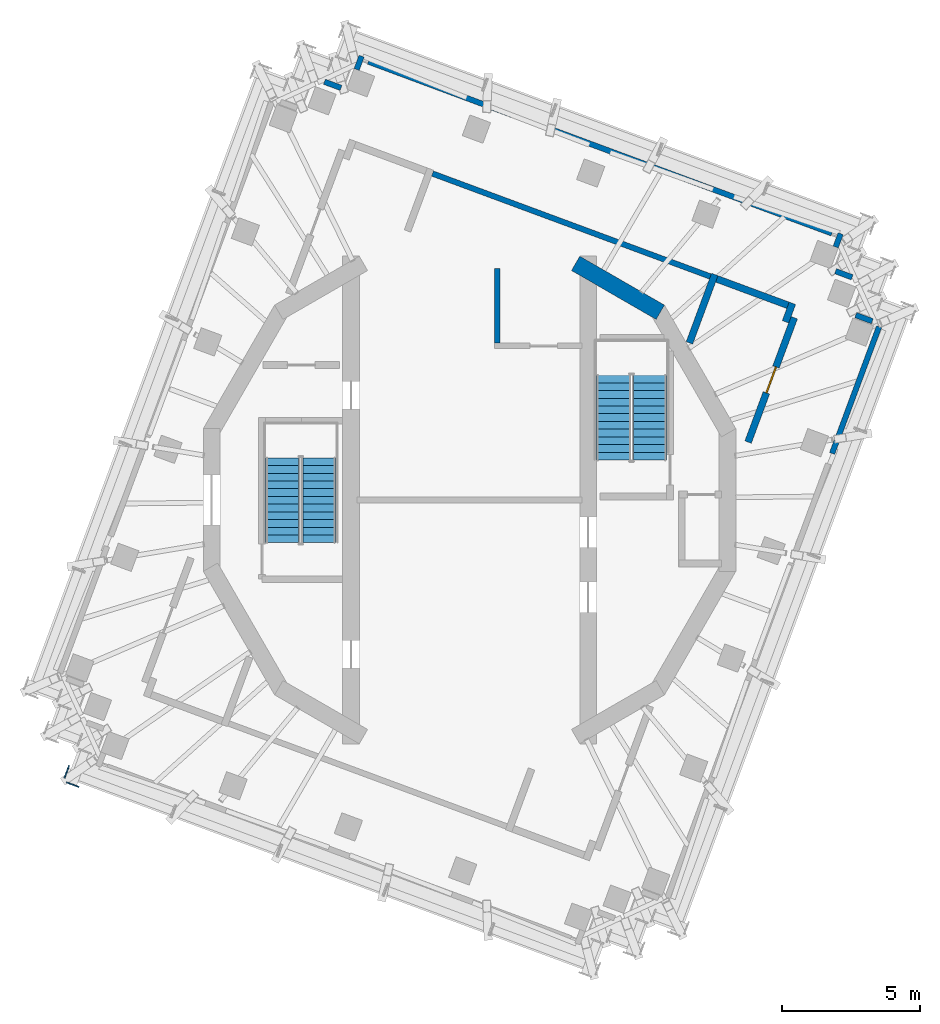
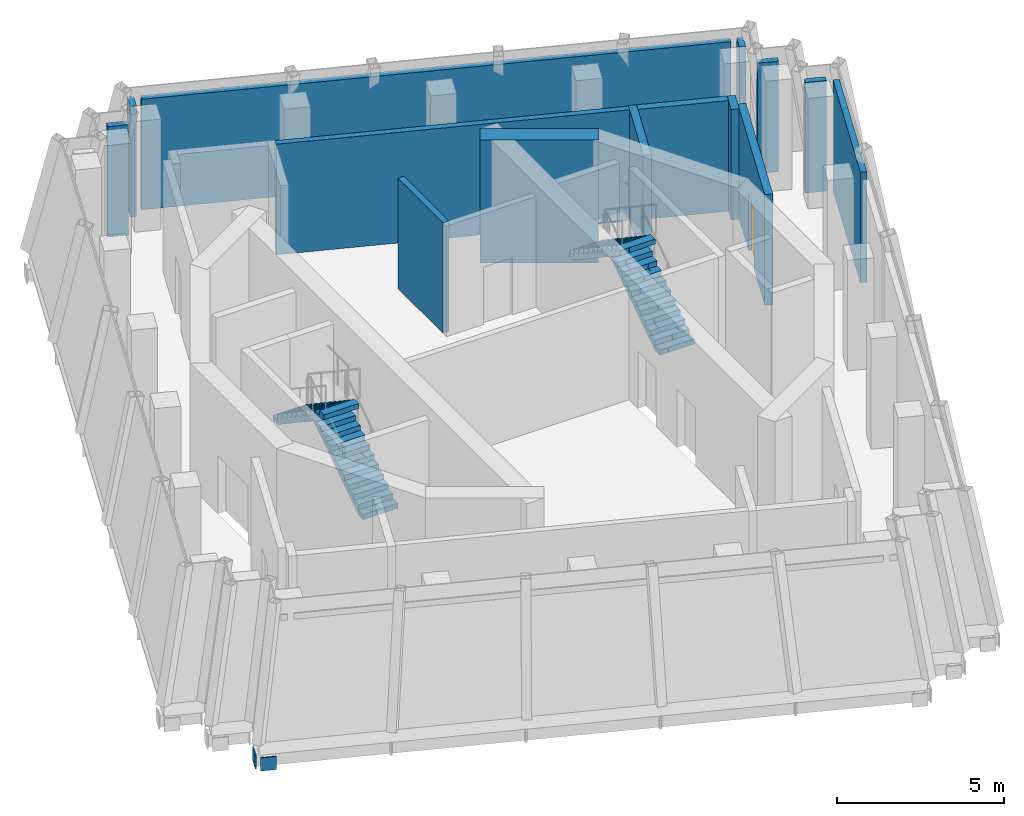
# One storey, part 6 of 12: 14 walls, 4 stair flights, 2 discrete accessories, 1 door, 1 opening, 4 elements without a shape of their own.
"""IFC4 building model written with IfcOpenShell, lengths in metres."""

from ifc_helpers import new_model, si_unit, direction, frame, frame_2d, origin, place, context, subcontext, project, spatial, polyline, rectangle, outline, extrude, material, layer, layer_set, type_object, element, fill, aggregate, save


model = new_model("IFC4")

# Units and contexts
model_context = context("Model", 3, precision=1e-05, world=origin(), true_north=direction((0.0, 1.0)))
body_context = subcontext(model_context, "Body", "Model", "MODEL_VIEW")
ifc_project = project(units=[si_unit("LENGTHUNIT", "METRE"), si_unit("AREAUNIT", "SQUARE_METRE"), si_unit("VOLUMEUNIT", "CUBIC_METRE"), si_unit("PLANEANGLEUNIT", "RADIAN"), si_unit("MASSUNIT", "GRAM", prefix="KILO")], contexts=[model_context])

# Site, building, storey
site_placement = place(None, origin())
site = spatial("IfcSite", under=ifc_project, at=site_placement, CompositionType="ELEMENT")
building_placement = place(site_placement, origin())
building = spatial("IfcBuilding", under=site, at=building_placement, Name="Cantera Rosa Tower", CompositionType="ELEMENT")
storey_placement = place(building_placement, frame((0.0, 0.0, 360.699951171875)))
storey = spatial("IfcBuildingStorey", under=building, at=storey_placement, Name="L81", CompositionType="ELEMENT", Elevation=360.699951171875)

# Walls
ifc_material_1 = material(Name="Masonry blockwork", Category="masonry")
ifc_layer_1 = layer(ifc_material_1, 0.199951171875)
ifc_layer_set_1 = layer_set([ifc_layer_1], Name="Blockwork partition 200")
wall_type_1 = type_object("IfcWallType", Name="Blockwork partition 200", PredefinedType="PARTITIONING", material=ifc_layer_set_1)
wall_1_placement = place(storey_placement, frame((8.73681640625, 8.1083984375, 0.0), z_axis=(0.0, 0.0, 1.0), x_axis=(-0.93768847637, 0.347477080228, 0.0)))
element("IfcWall", 1, at=wall_1_placement, inside=storey, type_object=wall_type_1, Name="Partition L81-13", PredefinedType="PARTITIONING", context=body_context, shape_type="SweptSolid", body=[
    extrude(rectangle(XDim=10.75, YDim=0.199951171875, at=frame_2d((5.375, 0.0))), origin(), (0.0, 0.0, 1.0), 4.050048828125),
])
wall_2_placement = place(storey_placement, frame((-4.095947265625, 15.618896484375, 0.0), z_axis=(0.0, 0.0, 1.0), x_axis=(0.347391322771, 0.937720250855, 0.0)))
element("IfcWall", 2, at=wall_2_placement, inside=storey, type_object=wall_type_1, Name="Partition L81-25", PredefinedType="PARTITIONING", context=body_context, shape_type="SweptSolid", body=[
    extrude(rectangle(XDim=0.5166015625, YDim=0.199951171875, at=frame_2d((0.25830078125, 0.0))), origin(), (0.0, 0.0, 1.0), 4.050048828125),
])
for number, where, z_axis, x_axis, name in (
    (3, (14.6123046875, 6.485595703125, 0.0), (0.0, 0.0, 1.0), (-0.937670508839, 0.347525562877, 0.0), "Partition L81-33"),
    (4, (13.88037109375, 8.079345703125, 0.0), (0.0, 0.0, 1.0), (-0.937670508839, 0.347525562877, 0.0), "Partition L81-35"),
    (5, (-4.663330078125, 14.951171875, 0.0), (0.0, 0.0, 1.0), (-0.937670508839, 0.347525562877, 0.0), "Partition L81-36"),
):
    element("IfcWall", number, at=place(storey_placement, frame(where, z_axis=z_axis, x_axis=x_axis)), inside=storey, type_object=wall_type_1, Name=name, PredefinedType="PARTITIONING", context=body_context, shape_type="SweptSolid", body=[
        extrude(rectangle(XDim=0.639892578125, YDim=0.199951171875, at=frame_2d((0.31982421875, 0.0))), origin(), (0.0, 0.0, 1.0), 4.050048828125),
    ])
wall_3_placement = place(storey_placement, frame((13.1484375, 9.6728515625, 0.0), z_axis=(0.0, 0.0, 1.0), x_axis=(-0.937687008608, 0.347481041048, 0.0)))
element("IfcWall", 6, at=wall_3_placement, inside=storey, type_object=wall_type_1, Name="Partition L81-37", PredefinedType="PARTITIONING", context=body_context, shape_type="SweptSolid", body=[
    extrude(rectangle(XDim=17.93603515625, YDim=0.199951171875, at=frame_2d((8.968017578125, 0.0))), origin(), (0.0, 0.0, 1.0), 4.050048828125),
])
wall_4_placement = place(storey_placement, frame((13.28515625, 9.177978515625, 0.0), z_axis=(0.0, 0.0, 1.0), x_axis=(0.347391322771, 0.937720250855, 0.0)))
element("IfcWall", 7, at=wall_4_placement, inside=storey, type_object=wall_type_1, Name="Partition L81-39", PredefinedType="PARTITIONING", context=body_context, shape_type="SweptSolid", body=[
    extrude(rectangle(XDim=0.5166015625, YDim=0.199951171875, at=frame_2d((0.25830078125, 0.0))), origin(), (0.0, 0.0, 1.0), 4.050048828125),
])
wall_5_placement = place(storey_placement, frame((13.154052734375, 1.6875, 0.0), z_axis=(0.0, 0.0, 1.0), x_axis=(0.347466711058, 0.937692318784, 0.0)))
element("IfcWall", 8, at=wall_5_placement, inside=storey, type_object=wall_type_1, Name="Partition L81-42", PredefinedType="PARTITIONING", context=body_context, shape_type="SweptSolid", body=[
    extrude(rectangle(XDim=4.90576171875, YDim=0.199951171875, at=frame_2d((2.452880859375, 0.0))), origin(), (0.0, 0.0, 1.0), 4.050048828125),
])
wall_6_placement = place(storey_placement, frame((1.0, 5.694091796875, 0.0), z_axis=(0.0, 0.0, 1.0), x_axis=(0.0, 1.0, 0.0)))
element("IfcWall", 9, at=wall_6_placement, inside=storey, type_object=wall_type_1, Name="Partition L81-STORE-B", PredefinedType="PARTITIONING", context=body_context, shape_type="SweptSolid", body=[
    extrude(rectangle(XDim=2.699951171875, YDim=0.199951171875, at=frame_2d((1.35009765625, 0.0))), origin(), (0.0, 0.0, 1.0), 4.050048828125),
])
ifc_material_2 = material(Name="Masonry blockwork", Category="masonry")
ifc_layer_2 = layer(ifc_material_2, 0.25)
ifc_layer_set_2 = layer_set([ifc_layer_2], Name="Fire-rated external wall 250")
wall_type_2 = type_object("IfcWallType", Name="Fire-rated external wall 250", PredefinedType="PARTITIONING", material=ifc_layer_set_2)
wall_7_placement = place(storey_placement, frame((7.977783203125, 5.7001953125, 0.0), z_axis=(0.0, 0.0, 1.0), x_axis=(0.347542652959, 0.937664174624, 0.0)))
element("IfcWall", 10, at=wall_7_placement, inside=storey, type_object=wall_type_2, Name="Fire wall L81-22", PredefinedType="PARTITIONING", context=body_context, shape_type="SweptSolid", body=[
    extrude(rectangle(XDim=2.64697265625, YDim=0.25, at=frame_2d((1.323486328125, 0.0))), origin(), (0.0, 0.0, 1.0), 4.050048828125),
])
ifc_material_3 = material(Name="Masonry blockwork", Category="masonry")
ifc_layer_3 = layer(ifc_material_3, 0.25)
ifc_layer_set_3 = layer_set([ifc_layer_3], Name="Fire-rated wall 250")
wall_type_3 = type_object("IfcWallType", Name="Fire-rated wall 250", PredefinedType="PARTITIONING", material=ifc_layer_set_3)
wall_8_placement = place(storey_placement, frame((11.55322265625, 7.064697265625, 0.0), z_axis=(0.0, 0.0, 1.0), x_axis=(-0.937692064281, 0.347467397874, 0.0)))
element("IfcWall", 11, at=wall_8_placement, inside=storey, type_object=wall_type_3, Name="Fire wall L81-12", PredefinedType="PARTITIONING", context=body_context, shape_type="SweptSolid", body=[
    extrude(rectangle(XDim=2.753662109375, YDim=0.25, at=frame_2d((1.376953125, 0.0))), origin(), (0.0, 0.0, 1.0), 4.050048828125),
])

# Wall, opening, door
wall_9_placement = place(storey_placement, frame((10.107421875, 2.10009765625, 0.0), z_axis=(0.0, 0.0, 1.0), x_axis=(0.347535704598, 0.937666749986, 0.0)))
wall_9 = element("IfcWall", 12, at=wall_9_placement, inside=storey, type_object=wall_type_3, Name="Fire wall L81-18", PredefinedType="PARTITIONING", context=body_context, shape_type="SweptSolid", body=[
    extrude(rectangle(XDim=4.8134765625, YDim=0.25, at=frame_2d((2.40673828125, 0.0))), origin(), (0.0, 0.0, 1.0), 4.050048828125),
])
opening_placement = place(wall_9_placement, frame((1.90673828125, 0.0, 0.0)))
opening = element("IfcOpeningElement", 13, at=opening_placement, cuts=wall_9, Name="Opening L81-004", PredefinedType="OPENING", context=body_context, shape_type="SweptSolid", body=[
    extrude(rectangle(XDim=1.0, YDim=2.10009765625, at=frame_2d((0.5, 1.050048828125))), frame((0.0, 0.135009765625, 0.0), z_axis=(0.0, -1.0, 0.0), x_axis=(1.0, 0.0, 0.0)), (0.0, 0.0, 1.0), 0.27001953125),
])
ifc_material_4 = material(Name="Steel S355J2 (EN 10025-2)", Category="steel")
door_type = type_object("IfcDoorType", Name="Fire door 1000x2100", OperationType="NOTDEFINED", PredefinedType="DOOR", material=ifc_material_4)
door_placement = place(opening_placement, origin())
door = element("IfcDoor", 14, at=door_placement, inside=storey, type_object=door_type, Name="Door L81-004", OverallHeight=2.10009765625, OverallWidth=1.0, PredefinedType="DOOR", context=body_context, shape_type="SweptSolid", body=[
    extrude(rectangle(XDim=1.0, YDim=2.10009765625, at=frame_2d((0.5, 1.050048828125))), frame((0.0, 0.02490234375, 0.0), z_axis=(0.0, -1.0, 0.0), x_axis=(1.0, 0.0, 0.0)), (0.0, 0.0, 1.0), 0.050048828125),
])
fill(opening, door)

# Walls
wall_10_placement = place(storey_placement, frame((11.464111328125, 6.464111328125, 0.0), z_axis=(0.0, 0.0, 1.0), x_axis=(0.347325413636, 0.937744665164, 0.0)))
element("IfcWall", 15, at=wall_10_placement, inside=storey, type_object=wall_type_3, Name="Fire wall L81-20", PredefinedType="PARTITIONING", context=body_context, shape_type="SweptSolid", body=[
    extrude(rectangle(XDim=0.718994140625, YDim=0.25, at=frame_2d((0.359375, 0.0))), origin(), (0.0, 0.0, 1.0), 4.050048828125),
])
ifc_material_5 = material(Name="Concrete C50/60", Category="concrete")
ifc_layer_4 = layer(ifc_material_5, 0.60009765625)
ifc_layer_set_4 = layer_set([ifc_layer_4], Name="RC CORE WALL 600 C50/60")
wall_type_4 = type_object("IfcWallType", Name="RC CORE WALL 600 C50/60", PredefinedType="SHEAR", material=ifc_layer_set_4)
wall_11_placement = place(storey_placement, frame((3.85009765625, 8.584228515625, 0.0), z_axis=(0.0, 0.0, 1.0), x_axis=(0.866039982607, -0.499974747889, 0.0)))
element("IfcWall", 16, at=wall_11_placement, inside=storey, type_object=wall_type_4, Name="CW-E1 L81", PredefinedType="SHEAR", context=body_context, shape_type="SweptSolid", body=[
    extrude(rectangle(XDim=3.546142578125, YDim=0.60009765625, at=frame_2d((1.77294921875, 0.0))), origin(), (0.0, 0.0, 1.0), 4.5),
])

# Stair, stair flights
ifc_material_6 = material(Name="Concrete C35/45", Category="concrete")
stair_type = type_object("IfcStairType", Name="EXIT STAIR 1200 DOGLEG", PredefinedType="HALF_TURN_STAIR", material=ifc_material_6)
stair_1_placement = place(storey_placement, origin())
stair_1 = element("IfcStair", 17, at=stair_1_placement, inside=storey, type_object=stair_type, Name="L81 ST-71", PredefinedType="HALF_TURN_STAIR")
ifc_material_7 = material(Name="Concrete C35/45", Category="concrete")
stair_flight_type = type_object("IfcStairFlightType", Name="STAIR FLIGHT 1200 R24x188", PredefinedType="STRAIGHT", material=ifc_material_7)
stair_flight_1_placement = place(storey_placement, frame((-5.449951171875, -1.550048828125, 0.0), z_axis=(0.0, 0.0, 1.0), x_axis=(0.0, 1.0, 0.0)))
stair_flight_1 = element("IfcStairFlight", 18, at=stair_flight_1_placement, type_object=stair_flight_type, Name="ST-71 flight 1", NumberOfRisers=12, NumberOfTreads=11, PredefinedType="STRAIGHT", RiserHeight=0.1875, TreadLength=0.28, context=body_context, shape_type="SweptSolid", body=[
    extrude(outline(polyline([(0.0, 0.0), (0.0, 0.1875), (0.280029296875, 0.1875), (0.280029296875, 0.375), (0.56005859375, 0.375), (0.56005859375, 0.5625), (0.840087890625, 0.5625), (0.840087890625, 0.75), (1.1201171875, 0.75), (1.1201171875, 0.9375), (1.39990234375, 0.9375), (1.39990234375, 1.125), (1.679931640625, 1.125), (1.679931640625, 1.3125), (1.9599609375, 1.3125), (1.9599609375, 1.5), (2.239990234375, 1.5), (2.239990234375, 1.6875), (2.52001953125, 1.6875), (2.52001953125, 1.875), (2.800048828125, 1.875), (2.800048828125, 2.0625), (3.080078125, 2.0625), (3.080078125, 2.25), (3.080078125, 1.882080078125), (0.26953125, 0.0), (0.0, 0.0)])), frame((0.0, 0.60009765625, 0.0), z_axis=(0.0, -1.0, 0.0), x_axis=(1.0, 0.0, 0.0)), (0.0, 0.0, 1.0), 0.298583984375),
    extrude(outline(polyline([(0.0, 0.0), (0.0, 0.1875), (0.280029296875, 0.1875), (0.280029296875, 0.375), (0.56005859375, 0.375), (0.56005859375, 0.5625), (0.840087890625, 0.5625), (0.840087890625, 0.75), (1.1201171875, 0.75), (1.1201171875, 0.9375), (1.39990234375, 0.9375), (1.39990234375, 1.125), (1.679931640625, 1.125), (1.679931640625, 1.3125), (1.9599609375, 1.3125), (1.9599609375, 1.5), (2.239990234375, 1.5), (2.239990234375, 1.6875), (2.52001953125, 1.6875), (2.52001953125, 1.875), (2.800048828125, 1.875), (2.800048828125, 2.0625), (3.080078125, 2.0625), (3.080078125, 2.25), (3.080078125, 1.882080078125), (0.26953125, 0.0), (0.0, 0.0)])), frame((0.0, 0.29931640625, 0.0), z_axis=(0.0, -1.0, 0.0), x_axis=(1.0, 0.0, 0.0)), (0.0, 0.0, 1.0), 0.298583984375),
    extrude(outline(polyline([(0.0, 0.0), (0.0, 0.1875), (0.280029296875, 0.1875), (0.280029296875, 0.375), (0.56005859375, 0.375), (0.56005859375, 0.5625), (0.840087890625, 0.5625), (0.840087890625, 0.75), (1.1201171875, 0.75), (1.1201171875, 0.9375), (1.39990234375, 0.9375), (1.39990234375, 1.125), (1.679931640625, 1.125), (1.679931640625, 1.3125), (1.9599609375, 1.3125), (1.9599609375, 1.5), (2.239990234375, 1.5), (2.239990234375, 1.6875), (2.52001953125, 1.6875), (2.52001953125, 1.875), (2.800048828125, 1.875), (2.800048828125, 2.0625), (3.080078125, 2.0625), (3.080078125, 2.25), (3.080078125, 1.882080078125), (0.26953125, 0.0), (0.0, 0.0)])), frame((0.0, -0.0009765625, 0.0), z_axis=(0.0, -1.0, 0.0), x_axis=(1.0, 0.0, 0.0)), (0.0, 0.0, 1.0), 0.298583984375),
    extrude(outline(polyline([(0.0, 0.0), (0.0, 0.1875), (0.280029296875, 0.1875), (0.280029296875, 0.375), (0.56005859375, 0.375), (0.56005859375, 0.5625), (0.840087890625, 0.5625), (0.840087890625, 0.75), (1.1201171875, 0.75), (1.1201171875, 0.9375), (1.39990234375, 0.9375), (1.39990234375, 1.125), (1.679931640625, 1.125), (1.679931640625, 1.3125), (1.9599609375, 1.3125), (1.9599609375, 1.5), (2.239990234375, 1.5), (2.239990234375, 1.6875), (2.52001953125, 1.6875), (2.52001953125, 1.875), (2.800048828125, 1.875), (2.800048828125, 2.0625), (3.080078125, 2.0625), (3.080078125, 2.25), (3.080078125, 1.882080078125), (0.26953125, 0.0), (0.0, 0.0)])), frame((0.0, -0.3017578125, 0.0), z_axis=(0.0, -1.0, 0.0), x_axis=(1.0, 0.0, 0.0)), (0.0, 0.0, 1.0), 0.298583984375),
])
stair_flight_2_placement = place(storey_placement, frame((-6.800048828125, 1.530029296875, 2.25), z_axis=(0.0, 0.0, 1.0), x_axis=(0.0, -1.0, 0.0)))
stair_flight_2 = element("IfcStairFlight", 19, at=stair_flight_2_placement, type_object=stair_flight_type, Name="ST-71 flight 2", NumberOfRisers=12, NumberOfTreads=11, PredefinedType="STRAIGHT", RiserHeight=0.1875, TreadLength=0.28, context=body_context, shape_type="SweptSolid", body=[
    extrude(outline(polyline([(0.0, 0.0), (0.0, 0.1875), (0.280029296875, 0.1875), (0.280029296875, 0.375), (0.56005859375, 0.375), (0.56005859375, 0.5625), (0.840087890625, 0.5625), (0.840087890625, 0.75), (1.1201171875, 0.75), (1.1201171875, 0.9375), (1.39990234375, 0.9375), (1.39990234375, 1.125), (1.679931640625, 1.125), (1.679931640625, 1.3125), (1.9599609375, 1.3125), (1.9599609375, 1.5), (2.239990234375, 1.5), (2.239990234375, 1.6875), (2.52001953125, 1.6875), (2.52001953125, 1.875), (2.800048828125, 1.875), (2.800048828125, 2.0625), (3.080078125, 2.0625), (3.080078125, 2.25), (3.080078125, 1.882080078125), (0.26953125, 0.0), (0.0, 0.0)])), frame((0.0, 0.60009765625, 0.0), z_axis=(0.0, -1.0, 0.0), x_axis=(1.0, 0.0, 0.0)), (0.0, 0.0, 1.0), 0.298583984375),
    extrude(outline(polyline([(0.0, 0.0), (0.0, 0.1875), (0.280029296875, 0.1875), (0.280029296875, 0.375), (0.56005859375, 0.375), (0.56005859375, 0.5625), (0.840087890625, 0.5625), (0.840087890625, 0.75), (1.1201171875, 0.75), (1.1201171875, 0.9375), (1.39990234375, 0.9375), (1.39990234375, 1.125), (1.679931640625, 1.125), (1.679931640625, 1.3125), (1.9599609375, 1.3125), (1.9599609375, 1.5), (2.239990234375, 1.5), (2.239990234375, 1.6875), (2.52001953125, 1.6875), (2.52001953125, 1.875), (2.800048828125, 1.875), (2.800048828125, 2.0625), (3.080078125, 2.0625), (3.080078125, 2.25), (3.080078125, 1.882080078125), (0.26953125, 0.0), (0.0, 0.0)])), frame((0.0, 0.29931640625, 0.0), z_axis=(0.0, -1.0, 0.0), x_axis=(1.0, 0.0, 0.0)), (0.0, 0.0, 1.0), 0.298583984375),
    extrude(outline(polyline([(0.0, 0.0), (0.0, 0.1875), (0.280029296875, 0.1875), (0.280029296875, 0.375), (0.56005859375, 0.375), (0.56005859375, 0.5625), (0.840087890625, 0.5625), (0.840087890625, 0.75), (1.1201171875, 0.75), (1.1201171875, 0.9375), (1.39990234375, 0.9375), (1.39990234375, 1.125), (1.679931640625, 1.125), (1.679931640625, 1.3125), (1.9599609375, 1.3125), (1.9599609375, 1.5), (2.239990234375, 1.5), (2.239990234375, 1.6875), (2.52001953125, 1.6875), (2.52001953125, 1.875), (2.800048828125, 1.875), (2.800048828125, 2.0625), (3.080078125, 2.0625), (3.080078125, 2.25), (3.080078125, 1.882080078125), (0.26953125, 0.0), (0.0, 0.0)])), frame((0.0, -0.0009765625, 0.0), z_axis=(0.0, -1.0, 0.0), x_axis=(1.0, 0.0, 0.0)), (0.0, 0.0, 1.0), 0.298583984375),
    extrude(outline(polyline([(0.0, 0.0), (0.0, 0.1875), (0.280029296875, 0.1875), (0.280029296875, 0.375), (0.56005859375, 0.375), (0.56005859375, 0.5625), (0.840087890625, 0.5625), (0.840087890625, 0.75), (1.1201171875, 0.75), (1.1201171875, 0.9375), (1.39990234375, 0.9375), (1.39990234375, 1.125), (1.679931640625, 1.125), (1.679931640625, 1.3125), (1.9599609375, 1.3125), (1.9599609375, 1.5), (2.239990234375, 1.5), (2.239990234375, 1.6875), (2.52001953125, 1.6875), (2.52001953125, 1.875), (2.800048828125, 1.875), (2.800048828125, 2.0625), (3.080078125, 2.0625), (3.080078125, 2.25), (3.080078125, 1.882080078125), (0.26953125, 0.0), (0.0, 0.0)])), frame((0.0, -0.3017578125, 0.0), z_axis=(0.0, -1.0, 0.0), x_axis=(1.0, 0.0, 0.0)), (0.0, 0.0, 1.0), 0.298583984375),
])
aggregate(stair_1, [stair_flight_1, stair_flight_2])

stair_2_placement = place(storey_placement, origin())
stair_2 = element("IfcStair", 20, at=stair_2_placement, inside=storey, type_object=stair_type, Name="L81 ST-72", PredefinedType="HALF_TURN_STAIR")
stair_flight_3_placement = place(storey_placement, frame((6.550048828125, 1.449951171875, 0.0), z_axis=(0.0, 0.0, 1.0), x_axis=(0.0, 1.0, 0.0)))
stair_flight_3 = element("IfcStairFlight", 21, at=stair_flight_3_placement, type_object=stair_flight_type, Name="ST-72 flight 1", NumberOfRisers=12, NumberOfTreads=11, PredefinedType="STRAIGHT", RiserHeight=0.1875, TreadLength=0.28, context=body_context, shape_type="SweptSolid", body=[
    extrude(outline(polyline([(0.0, 0.0), (0.0, 0.1875), (0.280029296875, 0.1875), (0.280029296875, 0.375), (0.56005859375, 0.375), (0.56005859375, 0.5625), (0.840087890625, 0.5625), (0.840087890625, 0.75), (1.1201171875, 0.75), (1.1201171875, 0.9375), (1.39990234375, 0.9375), (1.39990234375, 1.125), (1.679931640625, 1.125), (1.679931640625, 1.3125), (1.9599609375, 1.3125), (1.9599609375, 1.5), (2.239990234375, 1.5), (2.239990234375, 1.6875), (2.52001953125, 1.6875), (2.52001953125, 1.875), (2.800048828125, 1.875), (2.800048828125, 2.0625), (3.080078125, 2.0625), (3.080078125, 2.25), (3.080078125, 1.882080078125), (0.26953125, 0.0), (0.0, 0.0)])), frame((0.0, 0.60009765625, 0.0), z_axis=(0.0, -1.0, 0.0), x_axis=(1.0, 0.0, 0.0)), (0.0, 0.0, 1.0), 0.298583984375),
    extrude(outline(polyline([(0.0, 0.0), (0.0, 0.1875), (0.280029296875, 0.1875), (0.280029296875, 0.375), (0.56005859375, 0.375), (0.56005859375, 0.5625), (0.840087890625, 0.5625), (0.840087890625, 0.75), (1.1201171875, 0.75), (1.1201171875, 0.9375), (1.39990234375, 0.9375), (1.39990234375, 1.125), (1.679931640625, 1.125), (1.679931640625, 1.3125), (1.9599609375, 1.3125), (1.9599609375, 1.5), (2.239990234375, 1.5), (2.239990234375, 1.6875), (2.52001953125, 1.6875), (2.52001953125, 1.875), (2.800048828125, 1.875), (2.800048828125, 2.0625), (3.080078125, 2.0625), (3.080078125, 2.25), (3.080078125, 1.882080078125), (0.26953125, 0.0), (0.0, 0.0)])), frame((0.0, 0.29931640625, 0.0), z_axis=(0.0, -1.0, 0.0), x_axis=(1.0, 0.0, 0.0)), (0.0, 0.0, 1.0), 0.298583984375),
    extrude(outline(polyline([(0.0, 0.0), (0.0, 0.1875), (0.280029296875, 0.1875), (0.280029296875, 0.375), (0.56005859375, 0.375), (0.56005859375, 0.5625), (0.840087890625, 0.5625), (0.840087890625, 0.75), (1.1201171875, 0.75), (1.1201171875, 0.9375), (1.39990234375, 0.9375), (1.39990234375, 1.125), (1.679931640625, 1.125), (1.679931640625, 1.3125), (1.9599609375, 1.3125), (1.9599609375, 1.5), (2.239990234375, 1.5), (2.239990234375, 1.6875), (2.52001953125, 1.6875), (2.52001953125, 1.875), (2.800048828125, 1.875), (2.800048828125, 2.0625), (3.080078125, 2.0625), (3.080078125, 2.25), (3.080078125, 1.882080078125), (0.26953125, 0.0), (0.0, 0.0)])), frame((0.0, -0.0009765625, 0.0), z_axis=(0.0, -1.0, 0.0), x_axis=(1.0, 0.0, 0.0)), (0.0, 0.0, 1.0), 0.298583984375),
    extrude(outline(polyline([(0.0, 0.0), (0.0, 0.1875), (0.280029296875, 0.1875), (0.280029296875, 0.375), (0.56005859375, 0.375), (0.56005859375, 0.5625), (0.840087890625, 0.5625), (0.840087890625, 0.75), (1.1201171875, 0.75), (1.1201171875, 0.9375), (1.39990234375, 0.9375), (1.39990234375, 1.125), (1.679931640625, 1.125), (1.679931640625, 1.3125), (1.9599609375, 1.3125), (1.9599609375, 1.5), (2.239990234375, 1.5), (2.239990234375, 1.6875), (2.52001953125, 1.6875), (2.52001953125, 1.875), (2.800048828125, 1.875), (2.800048828125, 2.0625), (3.080078125, 2.0625), (3.080078125, 2.25), (3.080078125, 1.882080078125), (0.26953125, 0.0), (0.0, 0.0)])), frame((0.0, -0.3017578125, 0.0), z_axis=(0.0, -1.0, 0.0), x_axis=(1.0, 0.0, 0.0)), (0.0, 0.0, 1.0), 0.298583984375),
])
stair_flight_4_placement = place(storey_placement, frame((5.199951171875, 4.530029296875, 2.25), z_axis=(0.0, 0.0, 1.0), x_axis=(0.0, -1.0, 0.0)))
stair_flight_4 = element("IfcStairFlight", 22, at=stair_flight_4_placement, type_object=stair_flight_type, Name="ST-72 flight 2", NumberOfRisers=12, NumberOfTreads=11, PredefinedType="STRAIGHT", RiserHeight=0.1875, TreadLength=0.28, context=body_context, shape_type="SweptSolid", body=[
    extrude(outline(polyline([(0.0, 0.0), (0.0, 0.1875), (0.280029296875, 0.1875), (0.280029296875, 0.375), (0.56005859375, 0.375), (0.56005859375, 0.5625), (0.840087890625, 0.5625), (0.840087890625, 0.75), (1.1201171875, 0.75), (1.1201171875, 0.9375), (1.39990234375, 0.9375), (1.39990234375, 1.125), (1.679931640625, 1.125), (1.679931640625, 1.3125), (1.9599609375, 1.3125), (1.9599609375, 1.5), (2.239990234375, 1.5), (2.239990234375, 1.6875), (2.52001953125, 1.6875), (2.52001953125, 1.875), (2.800048828125, 1.875), (2.800048828125, 2.0625), (3.080078125, 2.0625), (3.080078125, 2.25), (3.080078125, 1.882080078125), (0.26953125, 0.0), (0.0, 0.0)])), frame((0.0, 0.60009765625, 0.0), z_axis=(0.0, -1.0, 0.0), x_axis=(1.0, 0.0, 0.0)), (0.0, 0.0, 1.0), 0.298583984375),
    extrude(outline(polyline([(0.0, 0.0), (0.0, 0.1875), (0.280029296875, 0.1875), (0.280029296875, 0.375), (0.56005859375, 0.375), (0.56005859375, 0.5625), (0.840087890625, 0.5625), (0.840087890625, 0.75), (1.1201171875, 0.75), (1.1201171875, 0.9375), (1.39990234375, 0.9375), (1.39990234375, 1.125), (1.679931640625, 1.125), (1.679931640625, 1.3125), (1.9599609375, 1.3125), (1.9599609375, 1.5), (2.239990234375, 1.5), (2.239990234375, 1.6875), (2.52001953125, 1.6875), (2.52001953125, 1.875), (2.800048828125, 1.875), (2.800048828125, 2.0625), (3.080078125, 2.0625), (3.080078125, 2.25), (3.080078125, 1.882080078125), (0.26953125, 0.0), (0.0, 0.0)])), frame((0.0, 0.29931640625, 0.0), z_axis=(0.0, -1.0, 0.0), x_axis=(1.0, 0.0, 0.0)), (0.0, 0.0, 1.0), 0.298583984375),
    extrude(outline(polyline([(0.0, 0.0), (0.0, 0.1875), (0.280029296875, 0.1875), (0.280029296875, 0.375), (0.56005859375, 0.375), (0.56005859375, 0.5625), (0.840087890625, 0.5625), (0.840087890625, 0.75), (1.1201171875, 0.75), (1.1201171875, 0.9375), (1.39990234375, 0.9375), (1.39990234375, 1.125), (1.679931640625, 1.125), (1.679931640625, 1.3125), (1.9599609375, 1.3125), (1.9599609375, 1.5), (2.239990234375, 1.5), (2.239990234375, 1.6875), (2.52001953125, 1.6875), (2.52001953125, 1.875), (2.800048828125, 1.875), (2.800048828125, 2.0625), (3.080078125, 2.0625), (3.080078125, 2.25), (3.080078125, 1.882080078125), (0.26953125, 0.0), (0.0, 0.0)])), frame((0.0, -0.0009765625, 0.0), z_axis=(0.0, -1.0, 0.0), x_axis=(1.0, 0.0, 0.0)), (0.0, 0.0, 1.0), 0.298583984375),
    extrude(outline(polyline([(0.0, 0.0), (0.0, 0.1875), (0.280029296875, 0.1875), (0.280029296875, 0.375), (0.56005859375, 0.375), (0.56005859375, 0.5625), (0.840087890625, 0.5625), (0.840087890625, 0.75), (1.1201171875, 0.75), (1.1201171875, 0.9375), (1.39990234375, 0.9375), (1.39990234375, 1.125), (1.679931640625, 1.125), (1.679931640625, 1.3125), (1.9599609375, 1.3125), (1.9599609375, 1.5), (2.239990234375, 1.5), (2.239990234375, 1.6875), (2.52001953125, 1.6875), (2.52001953125, 1.875), (2.800048828125, 1.875), (2.800048828125, 2.0625), (3.080078125, 2.0625), (3.080078125, 2.25), (3.080078125, 1.882080078125), (0.26953125, 0.0), (0.0, 0.0)])), frame((0.0, -0.3017578125, 0.0), z_axis=(0.0, -1.0, 0.0), x_axis=(1.0, 0.0, 0.0)), (0.0, 0.0, 1.0), 0.298583984375),
])
aggregate(stair_2, [stair_flight_3, stair_flight_4])

# Curtain wall, discrete accessory
ifc_material_8 = material(Name="Aluminium frame with clear glass", Category="aluminium")
curtain_wall_type = type_object("IfcCurtainWallType", Name="CW4 CROWN GLAZING", PredefinedType="NOTDEFINED", material=ifc_material_8)
curtain_wall_1_placement = place(storey_placement, origin())
curtain_wall_1 = element("IfcCurtainWall", 23, at=curtain_wall_1_placement, inside=storey, type_object=curtain_wall_type, Name="CW4 L81-18", PredefinedType="NOTDEFINED")
ifc_material_9 = material(Name="Steel S355J2 (EN 10025-2)", Category="steel")
ifc_layer_5 = layer(ifc_material_9, 0.030029296875)
ifc_layer_set_5 = layer_set([ifc_layer_5], Name="NODE PLATE 30")
discrete_accessory_type = type_object("IfcDiscreteAccessoryType", Name="NODE PLATE 30", PredefinedType="ANCHORPLATE", material=ifc_layer_set_5)
discrete_accessory_1_placement = place(storey_placement, frame((-14.18115234375, -10.431640625, -0.43505859375), z_axis=(-0.347943850259, -0.93751537431, 0.0), x_axis=(-0.93751537431, 0.347943850259, 0.0)))
discrete_accessory_1 = element("IfcDiscreteAccessory", 24, at=discrete_accessory_1_placement, type_object=discrete_accessory_type, Name="END PLATE TE1", PredefinedType="ANCHORPLATE", context=body_context, shape_type="SweptSolid", body=[
    extrude(outline(polyline([(0.0, 0.0), (0.47994004600337425, 0.0), (0.47994004600337425, 0.47998046875), (0.0, 0.47998046875), (0.0, 0.0)])), origin(), (0.0, 0.0, -1.0), 0.0400390625),
])
aggregate(curtain_wall_1, [discrete_accessory_1])

curtain_wall_2_placement = place(storey_placement, origin())
curtain_wall_2 = element("IfcCurtainWall", 25, at=curtain_wall_2_placement, inside=storey, type_object=curtain_wall_type, Name="CW4 L81-19", PredefinedType="NOTDEFINED")
discrete_accessory_2_placement = place(storey_placement, frame((-14.714599609375, -10.0771484375, -0.43505859375), z_axis=(-0.937576914778, 0.347777987911, 0.0), x_axis=(0.347777987911, 0.937576914778, 0.0)))
discrete_accessory_2 = element("IfcDiscreteAccessory", 26, at=discrete_accessory_2_placement, type_object=discrete_accessory_type, Name="END PLATE TE0", PredefinedType="ANCHORPLATE", context=body_context, shape_type="SweptSolid", body=[
    extrude(outline(polyline([(0.0, 0.0), (0.4801689391068604, 0.0), (0.4801689391068604, 0.47998046875), (0.0, 0.47998046875), (0.0, 0.0)])), origin(), (0.0, 0.0, -1.0), 0.0400390625),
])
aggregate(curtain_wall_2, [discrete_accessory_2])

save(model, "model.ifc")
